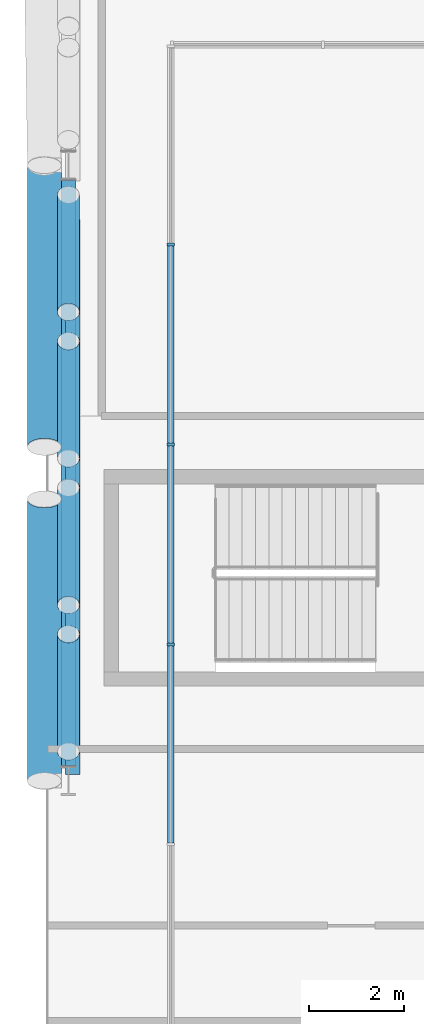
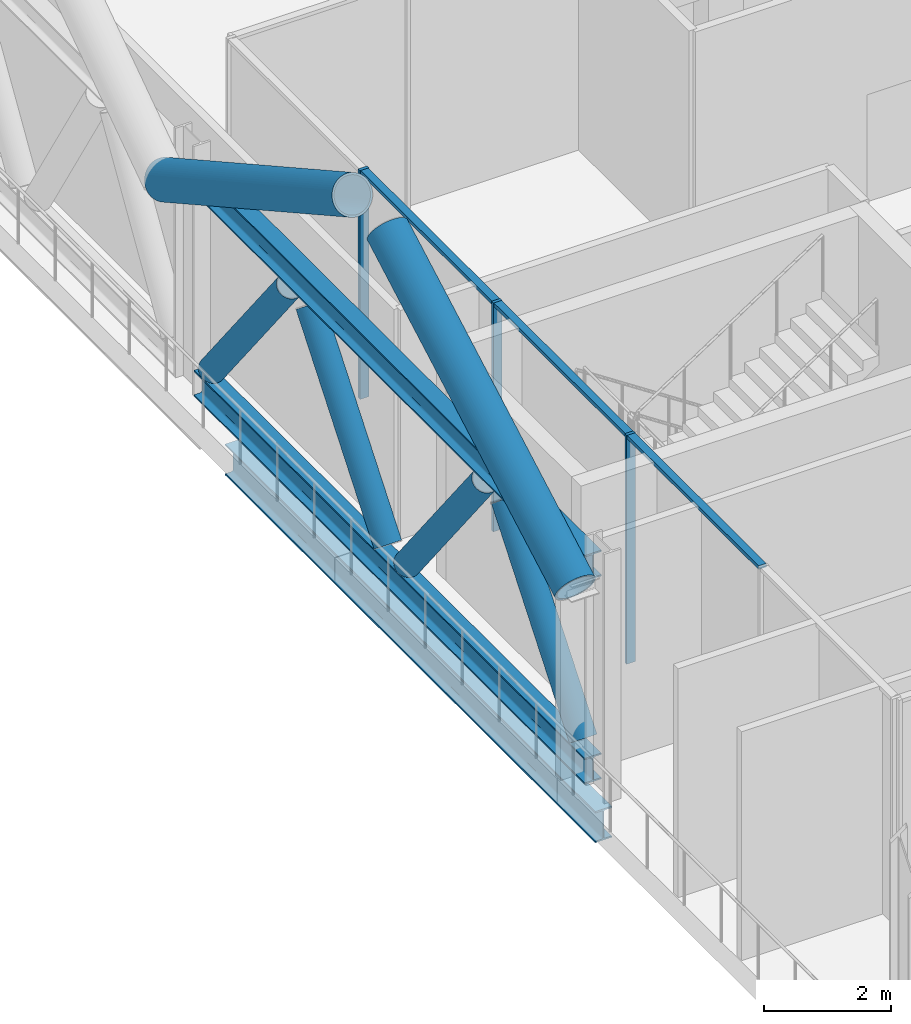
# One storey, part 6 of 42: 14 members, 1 beam, 1 element without a shape of its own.
"""IFC4 building model written with IfcOpenShell, lengths in metres."""

from ifc_helpers import new_model, si_unit, direction, frame, origin, origin_2d, place, context, subcontext, project, spatial, rectangle, hollow_circle, i_section, extrude, material, material_profile, profile_set, type_object, element, aggregate, save


model = new_model("IFC4")

# Units and contexts
model_context = context("Model", 3, precision=1e-05, world=origin(), true_north=direction((0.0, 1.0)))
body_context = subcontext(model_context, "Body", "Model", "MODEL_VIEW")
ifc_project = project(units=[si_unit("LENGTHUNIT", "METRE"), si_unit("AREAUNIT", "SQUARE_METRE"), si_unit("VOLUMEUNIT", "CUBIC_METRE"), si_unit("PLANEANGLEUNIT", "RADIAN"), si_unit("MASSUNIT", "GRAM", prefix="KILO")], contexts=[model_context])

# Site, building, storey
site_placement = place(None, origin())
site = spatial("IfcSite", under=ifc_project, at=site_placement, CompositionType="ELEMENT")
building_placement = place(site_placement, origin())
building = spatial("IfcBuilding", under=site, at=building_placement, Name="Wharfspan Tower", CompositionType="ELEMENT")
storey_placement = place(building_placement, frame((0.0, 0.0, 147.100098)))
storey = spatial("IfcBuildingStorey", under=building, at=storey_placement, Name="L35", CompositionType="ELEMENT", Elevation=147.100098)

# Beam
ifc_material_1 = material(Name="Steel S355J2", Category="steel")
ifc_material_profile_1 = material_profile(ifc_material_1, i_section(OverallWidth=0.300049, OverallDepth=0.600098, WebThickness=0.015381, FlangeThickness=0.030029, FilletRadius=0.0271, at=origin_2d()))
ifc_profile_set_1 = profile_set([ifc_material_profile_1], Name="Steel S355J2")
beam_type = type_object("IfcBeamType", Name="Edge beam HEB 600", PredefinedType="SPANDREL", material=ifc_profile_set_1)
beam_placement = place(storey_placement, frame((7.540039, 30.330322, -0.75), z_axis=(0.0, -1.0, 0.0), x_axis=(1.0, 0.0, 0.0)))
element("IfcBeam", 1, at=beam_placement, inside=storey, type_object=beam_type, Name="Edge beam W L35 PW.1 to PW.2", PredefinedType="SPANDREL", context=body_context, shape_type="SweptSolid", body=[
    extrude(i_section(OverallWidth=0.300049, OverallDepth=0.600098, WebThickness=0.015381, FlangeThickness=0.030029, FilletRadius=0.0271, at=origin_2d()), origin(), (0.0, 0.0, 1.0), 11.660645),
])

# Curtain wall, members
ifc_material_2 = material(Name="Aluminium 6063-T6", Category="aluminium")
curtain_wall_type = type_object("IfcCurtainWallType", Name="CURTAIN WALL BAND RECESS", PredefinedType="NOTDEFINED", material=ifc_material_2)
curtain_wall_placement = place(storey_placement, origin())
curtain_wall = element("IfcCurtainWall", 2, at=curtain_wall_placement, inside=storey, type_object=curtain_wall_type, Name="Recess glazing R2", PredefinedType="NOTDEFINED")
ifc_material_profile_2 = material_profile(ifc_material_2, rectangle(XDim=0.159912, YDim=0.060059, at=origin_2d()))
ifc_profile_set_2 = profile_set([ifc_material_profile_2], Name="Aluminium 6063-T6")
member_type_1 = type_object("IfcMemberType", Name="MULLION BAND RECESS 60x160", PredefinedType="MULLION", material=ifc_profile_set_2)
member_1_placement = place(storey_placement, frame((9.600098, 21.399902, 0.0), z_axis=(0.0, 0.0, 1.0), x_axis=(-1.0, 0.0, 0.0)))
member_1 = element("IfcMember", 3, at=member_1_placement, type_object=member_type_1, Name="Recess glazing R2 mullion 3", PredefinedType="MULLION", context=body_context, shape_type="SweptSolid", body=[
    extrude(rectangle(XDim=0.159912, YDim=0.060059, at=origin_2d()), origin(), (0.0, 0.0, 1.0), 4.399902),
])
member_2_placement = place(storey_placement, frame((9.600098, 25.600098, 0.0), z_axis=(0.0, 0.0, 1.0), x_axis=(-1.0, 0.0, 0.0)))
member_2 = element("IfcMember", 4, at=member_2_placement, type_object=member_type_1, Name="Recess glazing R2 mullion 4", PredefinedType="MULLION", context=body_context, shape_type="SweptSolid", body=[
    extrude(rectangle(XDim=0.159912, YDim=0.060059, at=origin_2d()), origin(), (0.0, 0.0, 1.0), 4.399902),
])
member_3_placement = place(storey_placement, frame((9.600098, 29.800049, 0.0), z_axis=(0.0, 0.0, 1.0), x_axis=(-1.0, 0.0, 0.0)))
member_3 = element("IfcMember", 5, at=member_3_placement, type_object=member_type_1, Name="Recess glazing R2 mullion 5", PredefinedType="MULLION", context=body_context, shape_type="SweptSolid", body=[
    extrude(rectangle(XDim=0.159912, YDim=0.060059, at=origin_2d()), origin(), (0.0, 0.0, 1.0), 4.399902),
])

# Members
ifc_material_3 = material(Name="Steel S460NH", Category="steel")
ifc_material_profile_3 = material_profile(ifc_material_3, hollow_circle(Radius=0.355469, WallThickness=0.035889, at=origin_2d()))
ifc_profile_set_3 = profile_set([ifc_material_profile_3], Name="Steel S460NH")
member_type_2 = type_object("IfcMemberType", Name="Mega brace CHS 711x36", PredefinedType="BRACE", material=ifc_profile_set_3)
for number, where, z_axis, x_axis, name in (
    (6, (6.945068, 31.466553, 4.099854), (0.0, -0.873718, 0.486433), (1.0, 0.0, 0.0), "Mega brace W3 L36 part 1"),
    (7, (6.945068, 18.533447, 4.099854), (0.0, 0.873718, 0.486433), (-1.0, 0.0, 0.0), "Mega brace W3 L36 part 3"),
):
    element("IfcMember", number, at=place(storey_placement, frame(where, z_axis=z_axis, x_axis=x_axis)), inside=storey, type_object=member_type_2, Name=name, PredefinedType="BRACE", context=body_context, shape_type="SweptSolid", body=[
        extrude(hollow_circle(Radius=0.355469, WallThickness=0.035889, at=origin_2d()), origin(), (0.0, 0.0, 1.0), 6.766602),
    ])

# Member
ifc_material_profile_4 = material_profile(ifc_material_2, rectangle(XDim=0.139893, YDim=0.070068, at=origin_2d()))
ifc_profile_set_4 = profile_set([ifc_material_profile_4], Name="Aluminium 6063-T6")
member_type_3 = type_object("IfcMemberType", Name="TRANSOM BAND RECESS 70x140", PredefinedType="USERDEFINED", material=ifc_profile_set_4)
member_4_placement = place(storey_placement, frame((9.600098, 17.22998, 4.36499), z_axis=(0.0, 1.0, 0.0), x_axis=(-1.0, 0.0, 0.0)))
member_4 = element("IfcMember", 8, at=member_4_placement, type_object=member_type_3, Name="Recess glazing R2 transom 2", ObjectType="TRANSOM", PredefinedType="USERDEFINED", context=body_context, shape_type="SweptSolid", body=[
    extrude(rectangle(XDim=0.139893, YDim=0.070068, at=origin_2d()), origin(), (0.0, 0.0, 1.0), 4.140137),
])

member_5_placement = place(storey_placement, frame((9.600098, 21.429932, 4.36499), z_axis=(0.0, 1.0, 0.0), x_axis=(-1.0, 0.0, 0.0)))
member_5 = element("IfcMember", 9, at=member_5_placement, type_object=member_type_3, Name="Recess glazing R2 transom 3", ObjectType="TRANSOM", PredefinedType="USERDEFINED", context=body_context, shape_type="SweptSolid", body=[
    extrude(rectangle(XDim=0.139893, YDim=0.070068, at=origin_2d()), origin(), (0.0, 0.0, 1.0), 4.140137),
])

member_6_placement = place(storey_placement, frame((9.600098, 25.629883, 4.36499), z_axis=(0.0, 1.0, 0.0), x_axis=(-1.0, 0.0, 0.0)))
member_6 = element("IfcMember", 10, at=member_6_placement, type_object=member_type_3, Name="Recess glazing R2 transom 4", ObjectType="TRANSOM", PredefinedType="USERDEFINED", context=body_context, shape_type="SweptSolid", body=[
    extrude(rectangle(XDim=0.139893, YDim=0.070068, at=origin_2d()), origin(), (0.0, 0.0, 1.0), 4.140137),
])

aggregate(curtain_wall, [member_1, member_2, member_3, member_4, member_5, member_6])

# Members
ifc_material_profile_5 = material_profile(ifc_material_1, i_section(OverallWidth=0.300049, OverallDepth=0.5, WebThickness=0.014404, FlangeThickness=0.028076, FilletRadius=0.0271, at=origin_2d()))
ifc_profile_set_5 = profile_set([ifc_material_profile_5], Name="Steel S355J2")
member_type_4 = type_object("IfcMemberType", Name="Truss chord HEB 500", PredefinedType="CHORD", material=ifc_profile_set_5)
for number, where, z_axis, x_axis, name in (
    (11, (7.449951, 31.156738, 4.149902), (0.0, -1.0, 0.0), (1.0, 0.0, 0.0), "Belt truss chord T L35 W PW.1 to PW.2"),
    (12, (7.449951, 31.156738, 0.25), (0.0, -1.0, 0.0), (1.0, 0.0, 0.0), "Belt truss chord B L35 W PW.1 to PW.2"),
):
    element("IfcMember", number, at=place(storey_placement, frame(where, z_axis=z_axis, x_axis=x_axis)), inside=storey, type_object=member_type_4, Name=name, PredefinedType="CHORD", context=body_context, shape_type="SweptSolid", body=[
        extrude(i_section(OverallWidth=0.300049, OverallDepth=0.5, WebThickness=0.014404, FlangeThickness=0.028076, FilletRadius=0.0271, at=origin_2d()), origin(), (0.0, 0.0, 1.0), 12.313477),
    ])
ifc_material_profile_6 = material_profile(ifc_material_3, hollow_circle(Radius=0.228516, WallThickness=0.016113, at=origin_2d()))
ifc_profile_set_6 = profile_set([ifc_material_profile_6], Name="Steel S460NH")
member_type_5 = type_object("IfcMemberType", Name="Truss diagonal CHS 457x16", PredefinedType="BRACE", material=ifc_profile_set_6)
for number, where, z_axis, x_axis, name in (
    (13, (7.449951, 30.847656, 0.641357), (0.0, -0.619561, 0.784949), (1.0, 0.0, 0.0), "Belt truss diagonal L35 W PW.1 to PW.2 1"),
    (14, (7.449951, 27.769287, 3.758301), (0.0, -0.619561, -0.784949), (1.0, 0.0, 0.0), "Belt truss diagonal L35 W PW.1 to PW.2 2"),
    (15, (7.449951, 24.690918, 0.641357), (0.0, -0.619561, 0.784949), (1.0, 0.0, 0.0), "Belt truss diagonal L35 W PW.1 to PW.2 3"),
    (16, (7.449951, 21.612549, 3.758301), (0.0, -0.619561, -0.784949), (1.0, 0.0, 0.0), "Belt truss diagonal L35 W PW.1 to PW.2 4"),
):
    element("IfcMember", number, at=place(storey_placement, frame(where, z_axis=z_axis, x_axis=x_axis)), inside=storey, type_object=member_type_5, Name=name, PredefinedType="BRACE", context=body_context, shape_type="SweptSolid", body=[
        extrude(hollow_circle(Radius=0.228516, WallThickness=0.016113, at=origin_2d()), origin(), (0.0, 0.0, 1.0), 3.970947),
    ])

save(model, "model.ifc")
